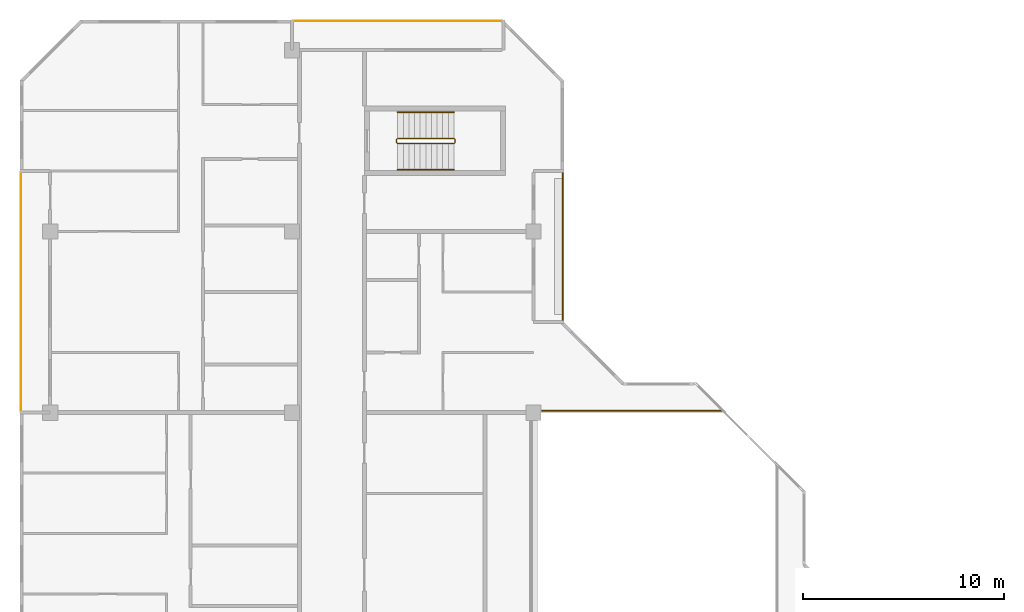
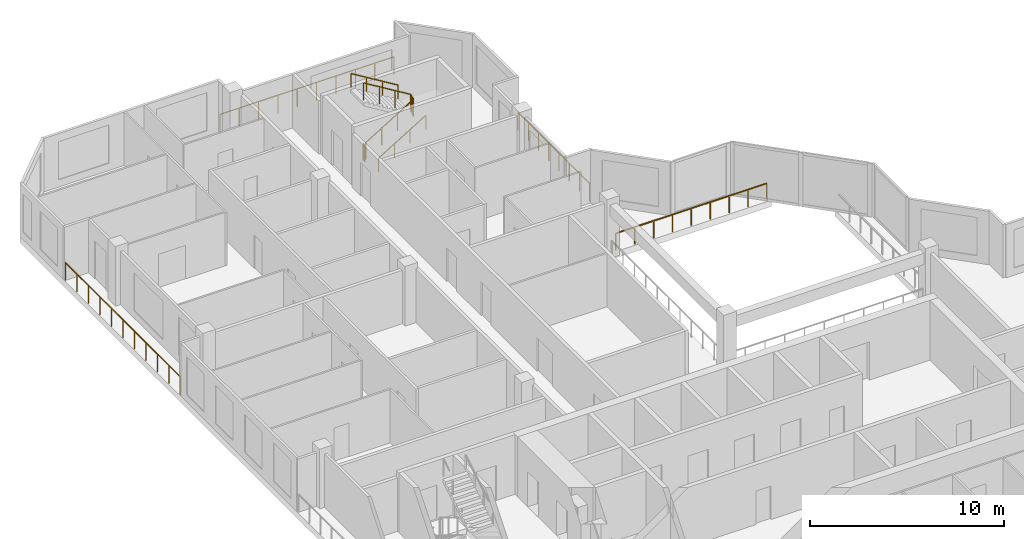
# One storey, part 12 of 12: 7 railings.
"""IFC4 building model written with IfcOpenShell, lengths in metres."""

import ifcopenshell
import ifcopenshell.guid

model = None  # the IFC model being written
_history = None  # IfcOwnerHistory: only IFC2X3 demands one
_inside = {}  # id of a spatial element -> (the spatial element, [elements in it])
_under = {}  # id of a project, library or spatial element -> (it, [spatial elements below it])
_declared = {}  # id of a project -> (the project, [libraries it declares])
_typed = {}  # id of a type object -> (the type object, [elements of that type])
_made_of = {}  # id of a material, layer set ... -> (it, [elements and type objects made of it])


def new_model(schema):
    """Start an empty IFC model of exactly this schema.

    Asked for "IFC4X3", IfcOpenShell would pick the latest addendum, in which some entities
    have other attributes; the version numbers below select the first issue.
    IFC2X3 requires an IfcOwnerHistory on every rooted entity: one is made here for all.
    """
    global model, _history
    if schema == "IFC4X3":
        model = ifcopenshell.file(schema_version=(4, 3, 0, 0))
    else:
        model = ifcopenshell.file(schema=schema)
    _inside.clear()
    _under.clear()
    _declared.clear()
    _typed.clear()
    _made_of.clear()
    _history = None
    if model.schema == "IFC2X3":
        org = make("IfcOrganization", Name="unknown")
        user = make(
            "IfcPersonAndOrganization",
            ThePerson=make("IfcPerson", FamilyName="unknown"),
            TheOrganization=org,
        )
        app = make(
            "IfcApplication",
            ApplicationDeveloper=org,
            Version="unknown",
            ApplicationFullName="unknown",
            ApplicationIdentifier="unknown",
        )
        _history = make(
            "IfcOwnerHistory",
            OwningUser=user,
            OwningApplication=app,
            ChangeAction="ADDED",
            CreationDate=0,
        )
    return model


def make(cls, **values):
    """One entity of the class cls with the attributes given. An attribute that is None is left unset."""
    return model.create_entity(
        cls, **{name: value for name, value in values.items() if value is not None}
    )


def rooted(cls, **values):
    """An entity with a GlobalId (a new one), such as an element, a storey or a relation."""
    return make(cls, GlobalId=ifcopenshell.guid.new(), OwnerHistory=_history, **values)


def si_unit(unit_type, name, prefix=None):
    """IfcSIUnit, for example si_unit("LENGTHUNIT", "METRE", prefix="MILLI")."""
    return make("IfcSIUnit", UnitType=unit_type, Prefix=prefix, Name=name)


def assignment(units):
    """IfcUnitAssignment: the units of a project."""
    return None if units is None else make("IfcUnitAssignment", Units=units)


def point(xyz):
    """IfcCartesianPoint."""
    return None if xyz is None else make("IfcCartesianPoint", Coordinates=xyz)


def direction(xyz):
    """IfcDirection."""
    return None if xyz is None else make("IfcDirection", DirectionRatios=xyz)


def frame(location, z_axis=None, x_axis=None):
    """IfcAxis2Placement3D, a coordinate frame: its origin and axes. An axis left out is left unset."""
    return make(
        "IfcAxis2Placement3D",
        Location=point(location),
        Axis=direction(z_axis),
        RefDirection=direction(x_axis),
    )


def frame_2d(location, x_axis=None):
    """IfcAxis2Placement2D, a coordinate frame in the plane: its origin and x axis."""
    return make(
        "IfcAxis2Placement2D", Location=point(location), RefDirection=direction(x_axis)
    )


def origin():
    """The frame at (0, 0, 0) with its axes left unset."""
    return frame((0.0, 0.0, 0.0))


def origin_2d():
    """The frame at (0, 0) in the plane with its x axis left unset."""
    return frame_2d((0.0, 0.0))


def place(relative_to, where):
    """IfcLocalPlacement: puts the frame where relative to a parent placement (None: the world)."""
    return make(
        "IfcLocalPlacement", PlacementRelTo=relative_to, RelativePlacement=where
    )


def context(
    kind, dimensions, precision=None, world=None, true_north=None, identifier=None
):
    """IfcGeometricRepresentationContext, for example the 3D "Model" context."""
    return make(
        "IfcGeometricRepresentationContext",
        ContextIdentifier=identifier,
        ContextType=kind,
        CoordinateSpaceDimension=dimensions,
        Precision=precision,
        WorldCoordinateSystem=world,
        TrueNorth=true_north,
    )


def subcontext(parent, identifier, kind, view, scale=None):
    """IfcGeometricRepresentationSubContext, for example "Body" below "Model"."""
    return make(
        "IfcGeometricRepresentationSubContext",
        ContextIdentifier=identifier,
        ContextType=kind,
        ParentContext=parent,
        TargetScale=scale,
        TargetView=view,
    )


def project(units=None, contexts=None):
    """IfcProject with its units and contexts."""
    return rooted(
        "IfcProject",
        Name="project",
        RepresentationContexts=contexts,
        UnitsInContext=assignment(units),
    )


def spatial(cls, under=None, at=None, **own):
    """A site, building, storey or space (cls), placed at a placement, below another one or the project."""
    s = rooted(cls, ObjectPlacement=at, **own)
    if under is not None:
        _under.setdefault(under.id(), (under, []))[1].append(s)
    return s


def profile(cls, at=None, kind="AREA", **sizes):
    """A parametric profile (cls). Its sizes go by their IFC names, for example OverallWidth=200.0."""
    return make(cls, ProfileType=kind, Position=at, **sizes)


def rectangle(**sizes):
    """IfcRectangleProfileDef."""
    return profile("IfcRectangleProfileDef", **sizes)


def extrude(swept, where, along, depth):
    """IfcExtrudedAreaSolid: the profile swept, set in the frame where, extruded along a direction by depth."""
    return make(
        "IfcExtrudedAreaSolid",
        SweptArea=swept,
        Position=where,
        ExtrudedDirection=direction(along),
        Depth=depth,
    )


def shape(context_of_items, identifier, shape_type, items):
    """IfcShapeRepresentation: the items that make up one representation, for example the "Body"."""
    return make(
        "IfcShapeRepresentation",
        ContextOfItems=context_of_items,
        RepresentationIdentifier=identifier,
        RepresentationType=shape_type,
        Items=items,
    )


def material(Name=None, Category=None):
    """IfcMaterial."""
    return make("IfcMaterial", Name=Name, Category=Category)


def made_of(thing, what):
    """Note that an element or type object is made of a material, layer set ...; save() writes the relation."""
    if what is not None:
        _made_of.setdefault(what.id(), (what, []))[1].append(thing)
    return thing


def type_object(cls, material=None, **own):
    """A type object (cls), such as IfcWallType, which elements share."""
    return made_of(rooted(cls, **own), material)


def element(
    cls,
    number,
    at=None,
    inside=None,
    cuts=None,
    type_object=None,
    material=None,
    context=None,
    identifier="Body",
    shape_type=None,
    held_by="IfcProductDefinitionShape",
    body=None,
    shapes=None,
    **own,
):
    """One element of the class cls, such as IfcWall. Its Tag is "e" and its number.

    at: its placement. inside: the storey or other place that contains it. cuts: it is an
    opening in that element (IfcRelVoidsElement). A single representation is given by context,
    identifier, shape_type and body (its items); several are given by shapes. held_by: the class
    of the entity that holds the representations. save() writes the other relations.
    """
    e = rooted(cls, Tag="e%d" % number, ObjectPlacement=at, **own)
    if body is not None:
        shapes = [shape(context, identifier, shape_type, body)]
    if shapes is not None:
        e.Representation = make(held_by, Representations=shapes)
    if inside is not None:
        _inside.setdefault(inside.id(), (inside, []))[1].append(e)
    if cuts is not None:
        rooted(
            "IfcRelVoidsElement", RelatingBuildingElement=cuts, RelatedOpeningElement=e
        )
    if type_object is not None:
        _typed.setdefault(type_object.id(), (type_object, []))[1].append(e)
    return made_of(e, material)


def aggregate(whole, parts):
    """IfcRelAggregates: a whole, such as a stair, and the parts it consists of."""
    return rooted("IfcRelAggregates", RelatingObject=whole, RelatedObjects=parts)


def save(model, path):
    """Write the relations noted so far, then the file.

    IfcRelAggregates (storeys below a building ...), IfcRelContainedInSpatialStructure (elements
    in a storey), IfcRelDefinesByType, IfcRelAssociatesMaterial and IfcRelDeclares: one each for
    every whole, place, type object, material and project.
    """
    for whole, parts in _under.values():
        aggregate(whole, parts)
    for where, things in _inside.values():
        rooted(
            "IfcRelContainedInSpatialStructure",
            RelatedElements=things,
            RelatingStructure=where,
        )
    for kind, things in _typed.values():
        rooted("IfcRelDefinesByType", RelatedObjects=things, RelatingType=kind)
    for what, things in _made_of.values():
        rooted("IfcRelAssociatesMaterial", RelatedObjects=things, RelatingMaterial=what)
    for by, libraries in _declared.values():
        rooted("IfcRelDeclares", RelatingContext=by, RelatedDefinitions=libraries)
    model.write(path)


model = new_model("IFC4")

# Units and contexts
model_context = context("Model", 3, precision=1e-05, world=origin(), true_north=direction((0.0, 1.0)))
body_context = subcontext(model_context, "Body", "Model", "MODEL_VIEW")
ifc_project = project(units=[si_unit("LENGTHUNIT", "METRE"), si_unit("AREAUNIT", "SQUARE_METRE"), si_unit("VOLUMEUNIT", "CUBIC_METRE"), si_unit("PLANEANGLEUNIT", "RADIAN"), si_unit("MASSUNIT", "GRAM", prefix="KILO")], contexts=[model_context])

# Site, building, storey
site_placement = place(None, origin())
site = spatial("IfcSite", under=ifc_project, at=site_placement, CompositionType="ELEMENT")
building_placement = place(site_placement, origin())
building = spatial("IfcBuilding", under=site, at=building_placement, Name="Chenar Terraces", CompositionType="ELEMENT")
storey_placement = place(building_placement, frame((0.0, 0.0, 365.14990234375)))
storey = spatial("IfcBuildingStorey", under=building, at=storey_placement, Name="L85", CompositionType="ELEMENT", Elevation=365.14990234375)

# Railings
ifc_material_1 = material(Name="Powder-coated steel", Category="steel")
railing_type_1 = type_object("IfcRailingType", Name="Guard 1100 steel rail with glass infill", PredefinedType="GUARDRAIL", material=ifc_material_1)
railing_1_placement = place(storey_placement, frame((24.425048828125, 36.10009765625, 0.0)))
element("IfcRailing", 1, at=railing_1_placement, inside=storey, type_object=railing_type_1, Name="Guard L85-2", PredefinedType="GUARDRAIL", context=body_context, shape_type="SweptSolid", body=[
    extrude(rectangle(XDim=0.06005859375, YDim=0.06005859375, at=origin_2d()), frame((0.0, 0.0, 1.070068359375), z_axis=(1.0, 0.0, 0.0), x_axis=(0.0, 1.0, 0.0)), (0.0, 0.0, 1.0), 8.974853515625),
    extrude(rectangle(XDim=0.050048828125, YDim=0.050048828125, at=origin_2d()), origin(), (0.0, 0.0, 1.0), 1.0400390625),
    extrude(rectangle(XDim=0.050048828125, YDim=0.050048828125, at=origin_2d()), frame((1.121826171875, 0.0, 0.0)), (0.0, 0.0, 1.0), 1.0400390625),
    extrude(rectangle(XDim=0.050048828125, YDim=0.050048828125, at=origin_2d()), frame((2.24365234375, 0.0, 0.0)), (0.0, 0.0, 1.0), 1.0400390625),
    extrude(rectangle(XDim=0.050048828125, YDim=0.050048828125, at=origin_2d()), frame((3.365478515625, 0.0, 0.0)), (0.0, 0.0, 1.0), 1.0400390625),
    extrude(rectangle(XDim=0.050048828125, YDim=0.050048828125, at=origin_2d()), frame((4.4873046875, 0.0, 0.0)), (0.0, 0.0, 1.0), 1.0400390625),
    extrude(rectangle(XDim=0.050048828125, YDim=0.050048828125, at=origin_2d()), frame((5.609375, 0.0, 0.0)), (0.0, 0.0, 1.0), 1.0400390625),
    extrude(rectangle(XDim=0.050048828125, YDim=0.050048828125, at=origin_2d()), frame((6.731201171875, 0.0, 0.0)), (0.0, 0.0, 1.0), 1.0400390625),
    extrude(rectangle(XDim=0.050048828125, YDim=0.050048828125, at=origin_2d()), frame((7.85302734375, 0.0, 0.0)), (0.0, 0.0, 1.0), 1.0400390625),
    extrude(rectangle(XDim=0.050048828125, YDim=0.050048828125, at=origin_2d()), frame((8.974853515625, 0.0, 0.0)), (0.0, 0.0, 1.0), 1.0400390625),
])
ifc_material_2 = material(Name="Stainless steel and glass", Category="steel")
railing_type_2 = type_object("IfcRailingType", Name="Loggia guard 1150", PredefinedType="GUARDRAIL", material=ifc_material_2)
railing_2_placement = place(storey_placement, frame((25.449951171875, 40.574951171875, 0.0)))
element("IfcRailing", 2, at=railing_2_placement, inside=storey, type_object=railing_type_2, Name="Loggia guard", PredefinedType="GUARDRAIL", context=body_context, shape_type="SweptSolid", body=[
    extrude(rectangle(XDim=0.048095703125, YDim=0.048095703125, at=origin_2d()), frame((0.0, 0.0, 1.1259765625), z_axis=(0.0, 1.0, 0.0), x_axis=(-1.0, 0.0, 0.0)), (0.0, 0.0, 1.0), 7.35009765625),
    extrude(rectangle(XDim=0.0419921875, YDim=0.0419921875, at=origin_2d()), origin(), (0.0, 0.0, 1.0), 1.101806640625),
    extrude(rectangle(XDim=0.0419921875, YDim=0.0419921875, at=origin_2d()), frame((0.0, 1.050048828125, 0.0)), (0.0, 0.0, 1.0), 1.101806640625),
    extrude(rectangle(XDim=0.0419921875, YDim=0.0419921875, at=origin_2d()), frame((0.0, 2.10009765625, 0.0)), (0.0, 0.0, 1.0), 1.101806640625),
    extrude(rectangle(XDim=0.0419921875, YDim=0.0419921875, at=origin_2d()), frame((0.0, 3.150146484375, 0.0)), (0.0, 0.0, 1.0), 1.101806640625),
    extrude(rectangle(XDim=0.0419921875, YDim=0.0419921875, at=origin_2d()), frame((0.0, 4.199951171875, 0.0)), (0.0, 0.0, 1.0), 1.101806640625),
    extrude(rectangle(XDim=0.0419921875, YDim=0.0419921875, at=origin_2d()), frame((0.0, 5.25, 0.0)), (0.0, 0.0, 1.0), 1.101806640625),
    extrude(rectangle(XDim=0.0419921875, YDim=0.0419921875, at=origin_2d()), frame((0.0, 6.300048828125, 0.0)), (0.0, 0.0, 1.0), 1.101806640625),
    extrude(rectangle(XDim=0.0419921875, YDim=0.0419921875, at=origin_2d()), frame((0.0, 7.35009765625, 0.0)), (0.0, 0.0, 1.0), 1.101806640625),
])
railing_3_placement = place(storey_placement, frame((22.425048828125, 55.449951171875, 0.0)))
element("IfcRailing", 3, at=railing_3_placement, inside=storey, type_object=railing_type_2, Name="Loggia guard", PredefinedType="GUARDRAIL", context=body_context, shape_type="SweptSolid", body=[
    extrude(rectangle(XDim=0.048095703125, YDim=0.048095703125, at=origin_2d()), frame((0.0, 0.0, 1.1259765625), z_axis=(-1.0, 0.0, 0.0), x_axis=(0.0, -1.0, 0.0)), (0.0, 0.0, 1.0), 10.35009765625),
    extrude(rectangle(XDim=0.0419921875, YDim=0.0419921875, at=origin_2d()), origin(), (0.0, 0.0, 1.0), 1.101806640625),
    extrude(rectangle(XDim=0.0419921875, YDim=0.0419921875, at=origin_2d()), frame((-1.14990234375, 0.0, 0.0)), (0.0, 0.0, 1.0), 1.101806640625),
    extrude(rectangle(XDim=0.0419921875, YDim=0.0419921875, at=origin_2d()), frame((-2.300048828125, 0.0, 0.0)), (0.0, 0.0, 1.0), 1.101806640625),
    extrude(rectangle(XDim=0.0419921875, YDim=0.0419921875, at=origin_2d()), frame((-3.449951171875, 0.0, 0.0)), (0.0, 0.0, 1.0), 1.101806640625),
    extrude(rectangle(XDim=0.0419921875, YDim=0.0419921875, at=origin_2d()), frame((-4.60009765625, 0.0, 0.0)), (0.0, 0.0, 1.0), 1.101806640625),
    extrude(rectangle(XDim=0.0419921875, YDim=0.0419921875, at=origin_2d()), frame((-5.75, 0.0, 0.0)), (0.0, 0.0, 1.0), 1.101806640625),
    extrude(rectangle(XDim=0.0419921875, YDim=0.0419921875, at=origin_2d()), frame((-6.900146484375, 0.0, 0.0)), (0.0, 0.0, 1.0), 1.101806640625),
    extrude(rectangle(XDim=0.0419921875, YDim=0.0419921875, at=origin_2d()), frame((-8.050048828125, 0.0, 0.0)), (0.0, 0.0, 1.0), 1.101806640625),
    extrude(rectangle(XDim=0.0419921875, YDim=0.0419921875, at=origin_2d()), frame((-9.2001953125, 0.0, 0.0)), (0.0, 0.0, 1.0), 1.101806640625),
    extrude(rectangle(XDim=0.0419921875, YDim=0.0419921875, at=origin_2d()), frame((-10.35009765625, 0.0, 0.0)), (0.0, 0.0, 1.0), 1.101806640625),
])
railing_4_placement = place(storey_placement, frame((-1.449951171875, 47.925048828125, 0.0)))
element("IfcRailing", 4, at=railing_4_placement, inside=storey, type_object=railing_type_2, Name="Loggia guard", PredefinedType="GUARDRAIL", context=body_context, shape_type="SweptSolid", body=[
    extrude(rectangle(XDim=0.048095703125, YDim=0.048095703125, at=origin_2d()), frame((0.0, 0.0, 1.1259765625), z_axis=(0.0, -1.0, 0.0), x_axis=(1.0, 0.0, 0.0)), (0.0, 0.0, 1.0), 11.85009765625),
    extrude(rectangle(XDim=0.0419921875, YDim=0.0419921875, at=origin_2d()), origin(), (0.0, 0.0, 1.0), 1.101806640625),
    extrude(rectangle(XDim=0.0419921875, YDim=0.0419921875, at=origin_2d()), frame((0.0, -1.18505859375, 0.0)), (0.0, 0.0, 1.0), 1.101806640625),
    extrude(rectangle(XDim=0.0419921875, YDim=0.0419921875, at=origin_2d()), frame((0.0, -2.3701171875, 0.0)), (0.0, 0.0, 1.0), 1.101806640625),
    extrude(rectangle(XDim=0.0419921875, YDim=0.0419921875, at=origin_2d()), frame((0.0, -3.554931640625, 0.0)), (0.0, 0.0, 1.0), 1.101806640625),
    extrude(rectangle(XDim=0.0419921875, YDim=0.0419921875, at=origin_2d()), frame((0.0, -4.739990234375, 0.0)), (0.0, 0.0, 1.0), 1.101806640625),
    extrude(rectangle(XDim=0.0419921875, YDim=0.0419921875, at=origin_2d()), frame((0.0, -5.925048828125, 0.0)), (0.0, 0.0, 1.0), 1.101806640625),
    extrude(rectangle(XDim=0.0419921875, YDim=0.0419921875, at=origin_2d()), frame((0.0, -7.110107421875, 0.0)), (0.0, 0.0, 1.0), 1.101806640625),
    extrude(rectangle(XDim=0.0419921875, YDim=0.0419921875, at=origin_2d()), frame((0.0, -8.295166015625, 0.0)), (0.0, 0.0, 1.0), 1.101806640625),
    extrude(rectangle(XDim=0.0419921875, YDim=0.0419921875, at=origin_2d()), frame((0.0, -9.47998046875, 0.0)), (0.0, 0.0, 1.0), 1.101806640625),
    extrude(rectangle(XDim=0.0419921875, YDim=0.0419921875, at=origin_2d()), frame((0.0, -10.6650390625, 0.0)), (0.0, 0.0, 1.0), 1.101806640625),
    extrude(rectangle(XDim=0.0419921875, YDim=0.0419921875, at=origin_2d()), frame((0.0, -11.85009765625, 0.0)), (0.0, 0.0, 1.0), 1.101806640625),
])
ifc_material_3 = material(Name="Powder-coated steel", Category="steel")
railing_type_3 = type_object("IfcRailingType", Name="Stair guard 1100", PredefinedType="GUARDRAIL", material=ifc_material_3)
railing_5_placement = place(storey_placement, frame((17.25, 49.625, 3.75)))
element("IfcRailing", 5, at=railing_5_placement, inside=storey, type_object=railing_type_3, Name="L85 ST4 stair guard 1", PredefinedType="GUARDRAIL", context=body_context, shape_type="SweptSolid", body=[
    extrude(rectangle(XDim=0.048095703125, YDim=0.048095703125, at=origin_2d()), frame((0.0, 0.0, 1.076171875), z_axis=(0.854202870247, 0.0, -0.519939858505), x_axis=(0.0, 1.0, 0.0)), (0.0, 0.0, 1.0), 3.278076171875),
    extrude(rectangle(XDim=0.048095703125, YDim=0.048095703125, at=origin_2d()), frame((2.800048828125, 0.0, -0.62841796875), z_axis=(0.270899902878, -0.270899902878, -0.923702595667), x_axis=(0.707106781187, 0.707106781187, 0.0)), (0.0, 0.0, 1.0), 0.184814453125),
    extrude(rectangle(XDim=0.048095703125, YDim=0.048095703125, at=origin_2d()), frame((2.85009765625, -0.050048828125, -0.798828125), z_axis=(0.0, -1.0, 0.0), x_axis=(1.0, 0.0, 0.0)), (0.0, 0.0, 1.0), 0.14990234375),
    extrude(rectangle(XDim=0.048095703125, YDim=0.048095703125, at=origin_2d()), frame((2.85009765625, -0.199951171875, -0.798828125), z_axis=(-0.707106781187, -0.707106781187, 0.0), x_axis=(0.707106781187, -0.707106781187, 0.0)), (0.0, 0.0, 1.0), 0.07080078125),
    extrude(rectangle(XDim=0.048095703125, YDim=0.048095703125, at=origin_2d()), frame((2.800048828125, -0.25, -0.798828125), z_axis=(-0.854202870247, 0.0, -0.519939858505), x_axis=(0.0, -1.0, 0.0)), (0.0, 0.0, 1.0), 3.278076171875),
    extrude(rectangle(XDim=0.048095703125, YDim=0.048095703125, at=origin_2d()), frame((0.0, -0.25, -2.50341796875), z_axis=(-0.270899902878, 0.270899902878, -0.923702595667), x_axis=(-0.707106781187, -0.707106781187, 0.0)), (0.0, 0.0, 1.0), 0.184814453125),
    extrude(rectangle(XDim=0.048095703125, YDim=0.048095703125, at=origin_2d()), frame((-0.050048828125, -0.199951171875, -2.673828125), z_axis=(0.0, 1.0, 0.0), x_axis=(-1.0, 0.0, 0.0)), (0.0, 0.0, 1.0), 0.14990234375),
    extrude(rectangle(XDim=0.0419921875, YDim=0.0419921875, at=origin_2d()), origin(), (0.0, 0.0, 1.0), 1.052001953125),
    extrude(rectangle(XDim=0.0419921875, YDim=0.0419921875, at=origin_2d()), frame((0.933349609375, 0.0, -0.568115234375)), (0.0, 0.0, 1.0), 1.052001953125),
    extrude(rectangle(XDim=0.0419921875, YDim=0.0419921875, at=origin_2d()), frame((1.86669921875, 0.0, -1.13623046875)), (0.0, 0.0, 1.0), 1.052001953125),
    extrude(rectangle(XDim=0.0419921875, YDim=0.0419921875, at=origin_2d()), frame((2.800048828125, 0.0, -1.704345703125)), (0.0, 0.0, 1.0), 1.052001953125),
    extrude(rectangle(XDim=0.0419921875, YDim=0.0419921875, at=origin_2d()), frame((2.85009765625, -0.050048828125, -1.875)), (0.0, 0.0, 1.0), 1.052001953125),
    extrude(rectangle(XDim=0.0419921875, YDim=0.0419921875, at=origin_2d()), frame((2.85009765625, -0.199951171875, -1.875)), (0.0, 0.0, 1.0), 1.052001953125),
    extrude(rectangle(XDim=0.0419921875, YDim=0.0419921875, at=origin_2d()), frame((2.800048828125, -0.25, -1.875)), (0.0, 0.0, 1.0), 1.052001953125),
    extrude(rectangle(XDim=0.0419921875, YDim=0.0419921875, at=origin_2d()), frame((1.86669921875, -0.25, -2.443115234375)), (0.0, 0.0, 1.0), 1.052001953125),
    extrude(rectangle(XDim=0.0419921875, YDim=0.0419921875, at=origin_2d()), frame((0.933349609375, -0.25, -3.01123046875)), (0.0, 0.0, 1.0), 1.052001953125),
    extrude(rectangle(XDim=0.0419921875, YDim=0.0419921875, at=origin_2d()), frame((0.0, -0.25, -3.579345703125)), (0.0, 0.0, 1.0), 1.052001953125),
    extrude(rectangle(XDim=0.0419921875, YDim=0.0419921875, at=origin_2d()), frame((-0.050048828125, -0.199951171875, -3.75)), (0.0, 0.0, 1.0), 1.052001953125),
    extrude(rectangle(XDim=0.0419921875, YDim=0.0419921875, at=origin_2d()), frame((-0.050048828125, -0.050048828125, -3.75)), (0.0, 0.0, 1.0), 1.052001953125),
])
ifc_material_4 = material(Name="Powder-coated steel", Category="steel")
railing_type_4 = type_object("IfcRailingType", Name="Stair handrail 900", PredefinedType="HANDRAIL", material=ifc_material_4)
railing_6_placement = place(storey_placement, frame((17.25, 48.074951171875, 0.170654296875)))
element("IfcRailing", 6, at=railing_6_placement, inside=storey, type_object=railing_type_4, Name="L85 ST4 stair handrail 1", PredefinedType="HANDRAIL", context=body_context, shape_type="SweptSolid", body=[
    extrude(rectangle(XDim=0.048095703125, YDim=0.048095703125, at=origin_2d()), frame((0.0, 0.0, 0.8759765625), z_axis=(0.854202870247, 0.0, 0.519939858505), x_axis=(0.0, 1.0, 0.0)), (0.0, 0.0, 1.0), 3.278076171875),
    extrude(rectangle(XDim=0.0419921875, YDim=0.0419921875, at=origin_2d()), origin(), (0.0, 0.0, 1.0), 0.851806640625),
    extrude(rectangle(XDim=0.0419921875, YDim=0.0419921875, at=origin_2d()), frame((0.933349609375, 0.0, 0.568115234375)), (0.0, 0.0, 1.0), 0.851806640625),
    extrude(rectangle(XDim=0.0419921875, YDim=0.0419921875, at=origin_2d()), frame((1.86669921875, 0.0, 1.13623046875)), (0.0, 0.0, 1.0), 0.851806640625),
    extrude(rectangle(XDim=0.0419921875, YDim=0.0419921875, at=origin_2d()), frame((2.800048828125, 0.0, 1.704345703125)), (0.0, 0.0, 1.0), 0.851806640625),
])
railing_7_placement = place(storey_placement, frame((20.050048828125, 50.925048828125, 2.045654296875)))
element("IfcRailing", 7, at=railing_7_placement, inside=storey, type_object=railing_type_4, Name="L85 ST4 stair handrail 2", PredefinedType="HANDRAIL", context=body_context, shape_type="SweptSolid", body=[
    extrude(rectangle(XDim=0.048095703125, YDim=0.048095703125, at=origin_2d()), frame((0.0, 0.0, 0.8759765625), z_axis=(-0.854202870247, 0.0, 0.519939858505), x_axis=(0.0, -1.0, 0.0)), (0.0, 0.0, 1.0), 3.278076171875),
    extrude(rectangle(XDim=0.0419921875, YDim=0.0419921875, at=origin_2d()), origin(), (0.0, 0.0, 1.0), 0.851806640625),
    extrude(rectangle(XDim=0.0419921875, YDim=0.0419921875, at=origin_2d()), frame((-0.933349609375, 0.0, 0.568115234375)), (0.0, 0.0, 1.0), 0.851806640625),
    extrude(rectangle(XDim=0.0419921875, YDim=0.0419921875, at=origin_2d()), frame((-1.86669921875, 0.0, 1.13623046875)), (0.0, 0.0, 1.0), 0.851806640625),
    extrude(rectangle(XDim=0.0419921875, YDim=0.0419921875, at=origin_2d()), frame((-2.800048828125, 0.0, 1.704345703125)), (0.0, 0.0, 1.0), 0.851806640625),
])

save(model, "model.ifc")
